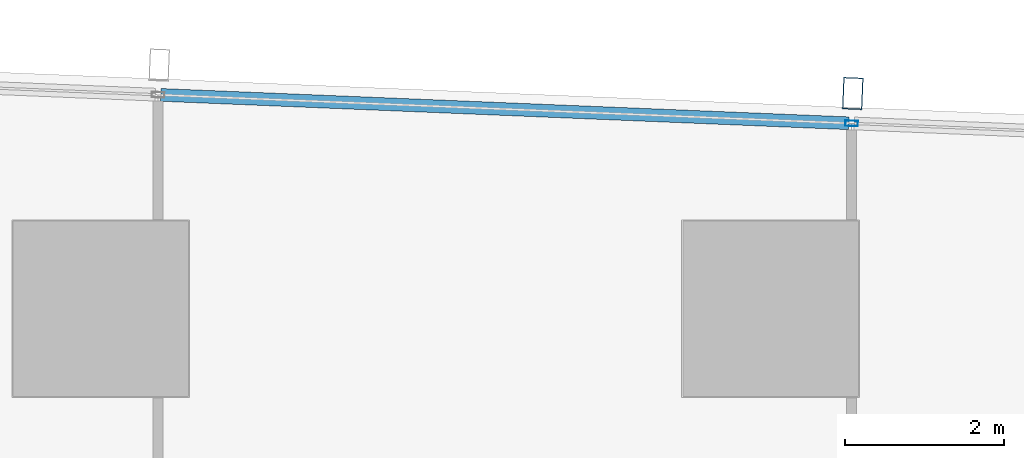
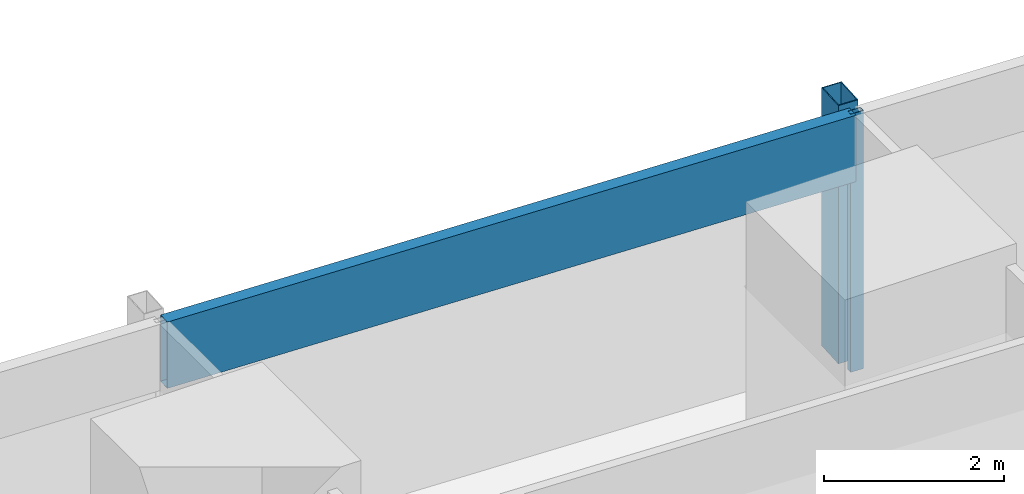
# One storey, part 22 of 44: 3 members, 1 element without a shape of its own.
"""IFC4 building model written with IfcOpenShell, lengths in metres."""

from ifc_helpers import new_model, si_unit, direction, frame, origin, origin_2d, place, context, subcontext, project, spatial, hollow_rectangle, extrude, material, material_profile, profile_set, type_object, element, aggregate, save


model = new_model("IFC4")

# Units and contexts
model_context = context("Model", 3, precision=1e-05, world=origin(), true_north=direction((0.0, 1.0)))
body_context = subcontext(model_context, "Body", "Model", "MODEL_VIEW")
ifc_project = project(units=[si_unit("LENGTHUNIT", "METRE"), si_unit("AREAUNIT", "SQUARE_METRE"), si_unit("VOLUMEUNIT", "CUBIC_METRE"), si_unit("PLANEANGLEUNIT", "RADIAN"), si_unit("MASSUNIT", "GRAM", prefix="KILO")], contexts=[model_context])

# Site, building, storey
site_placement = place(None, origin())
site = spatial("IfcSite", under=ifc_project, at=site_placement, CompositionType="ELEMENT")
building_placement = place(site_placement, origin())
building = spatial("IfcBuilding", under=site, at=building_placement, Name="Rekha Terrace Tower", CompositionType="ELEMENT")
storey_placement = place(building_placement, frame((0.0, 0.0, 47.89990234375)))
storey = spatial("IfcBuildingStorey", under=building, at=storey_placement, Name="L11", CompositionType="ELEMENT", Elevation=47.89990234375)

# Curtain wall, members
ifc_material_1 = material(Name="Aluminium framing", Category="aluminium")
curtain_wall_type = type_object("IfcCurtainWallType", Name="CW3 north unitised glazing", PredefinedType="USERDEFINED", material=ifc_material_1)
curtain_wall_placement = place(storey_placement, origin())
curtain_wall = element("IfcCurtainWall", 1, at=curtain_wall_placement, inside=storey, type_object=curtain_wall_type, Name="CW3 unitised curtain wall", ObjectType="UNITISED CURTAIN WALL", PredefinedType="USERDEFINED")
ifc_material_2 = material(Name="Steel S355 with fluorocarbon finish", Category="steel")
ifc_material_profile_1 = material_profile(ifc_material_2, hollow_rectangle(XDim=0.25, YDim=0.39990234375, WallThickness=0.012451171875, at=origin_2d()), Name="RHS400x250x12.5")
ifc_profile_set_1 = profile_set([ifc_material_profile_1], Name="Steel S355 with fluorocarbon finish")
member_type_1 = type_object("IfcMemberType", Name="BL1 facade blade RHS 400 x 250", PredefinedType="USERDEFINED", material=ifc_profile_set_1)
member_1_placement = place(storey_placement, frame((51.430419921875, 61.499267578125, 0.0), z_axis=(0.0, 0.0, 1.0), x_axis=(-0.99915196507, 0.041174636562, 0.0)))
member_1 = element("IfcMember", 2, at=member_1_placement, type_object=member_type_1, Name="Facade blade", ObjectType="FACADE BLADE", PredefinedType="USERDEFINED", context=body_context, shape_type="SweptSolid", body=[
    extrude(hollow_rectangle(XDim=0.25, YDim=0.39990234375, WallThickness=0.012451171875, at=origin_2d()), origin(), (0.0, 0.0, 1.0), 3.5),
])
ifc_material_3 = material(Name="Aluminium mullion section", Category="aluminium")
ifc_material_profile_2 = material_profile(ifc_material_3, hollow_rectangle(XDim=0.070068359375, YDim=0.159912109375, WallThickness=0.00390625, at=origin_2d()), Name="AL RHS 70x160")
ifc_profile_set_2 = profile_set([ifc_material_profile_2], Name="Aluminium mullion section")
member_type_2 = type_object("IfcMemberType", Name="CW3 mullion RHS 70 x 160", PredefinedType="MULLION", material=ifc_profile_set_2)
member_2_placement = place(storey_placement, frame((51.4150390625, 61.12451171875, 0.0), z_axis=(0.0, 0.0, 1.0), x_axis=(-0.041173846041, -0.999151997647, 0.0)))
member_2 = element("IfcMember", 3, at=member_2_placement, type_object=member_type_2, Name="CW3 mullion 3", PredefinedType="MULLION", context=body_context, shape_type="SweptSolid", body=[
    extrude(hollow_rectangle(XDim=0.070068359375, YDim=0.159912109375, WallThickness=0.00390625, at=origin_2d()), origin(), (0.0, 0.0, 1.0), 3.5),
])
ifc_material_4 = material(Name="Insulated aluminium spandrel box", Category="aluminium")
ifc_material_profile_3 = material_profile(ifc_material_4, hollow_rectangle(XDim=0.159912109375, YDim=0.89990234375, WallThickness=0.0029296875, at=origin_2d()), Name="AL SPANDREL BOX 160x900")
ifc_profile_set_3 = profile_set([ifc_material_profile_3], Name="Insulated aluminium spandrel box")
member_type_3 = type_object("IfcMemberType", Name="CW3 spandrel transom 160 x 900", PredefinedType="USERDEFINED", material=ifc_profile_set_3)
member_3_placement = place(storey_placement, frame((51.380126953125, 61.1259765625, 3.050048828125), z_axis=(-0.999152128669, 0.041170666459, 0.0), x_axis=(-0.041170666459, -0.999152128669, 0.0)))
member_3 = element("IfcMember", 4, at=member_3_placement, type_object=member_type_3, Name="CW3 spandrel transom 3", ObjectType="TRANSOM", PredefinedType="USERDEFINED", context=body_context, shape_type="SweptSolid", body=[
    extrude(hollow_rectangle(XDim=0.159912109375, YDim=0.89990234375, WallThickness=0.0029296875, at=origin_2d()), origin(), (0.0, 0.0, 1.0), 8.634033203125),
])
aggregate(curtain_wall, [member_2, member_3, member_1])

save(model, "model.ifc")
